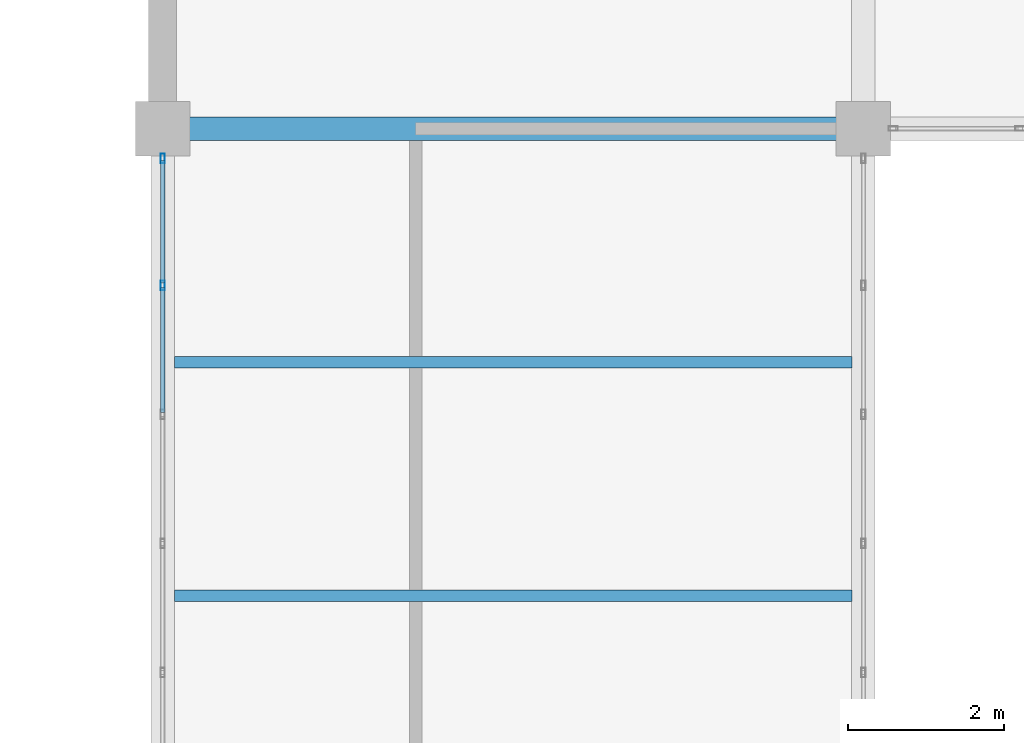
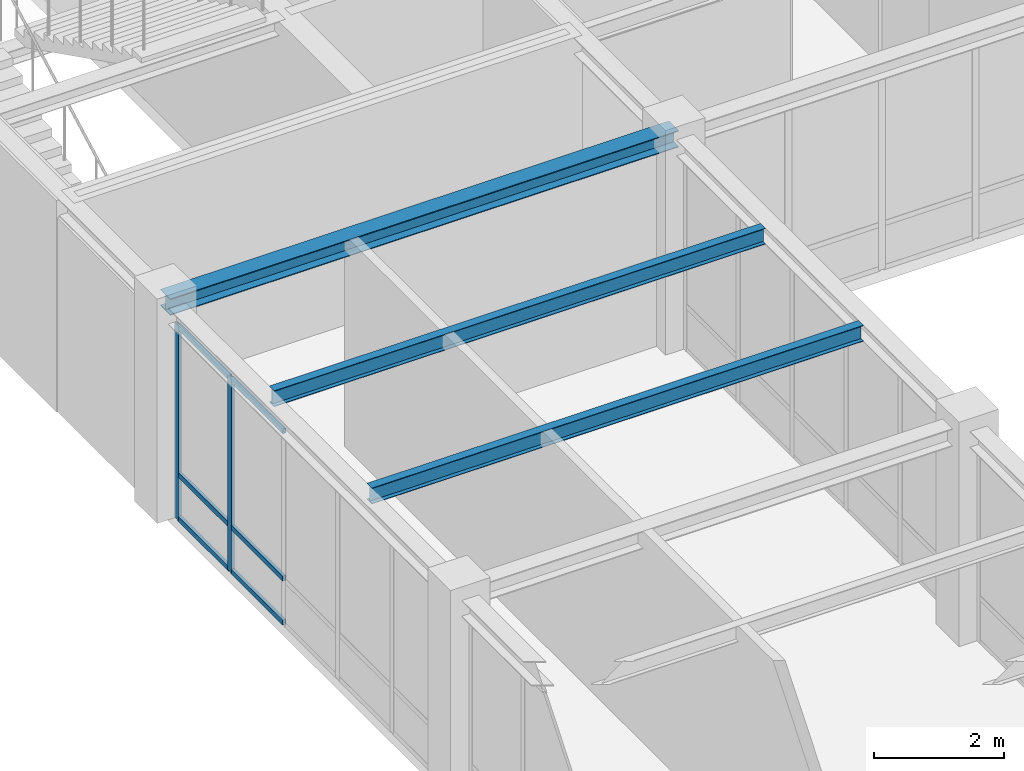
# One storey, part 40 of 108: 8 members, 3 beams, 1 element without a shape of its own.
"""IFC4 building model written with IfcOpenShell, lengths in metres."""

from ifc_helpers import new_model, si_unit, direction, frame, origin, origin_2d, place, context, subcontext, project, spatial, hollow_rectangle, i_section, extrude, material, material_profile, profile_set, type_object, element, aggregate, save


model = new_model("IFC4")

# Units and contexts
model_context = context("Model", 3, precision=1e-05, world=origin(), true_north=direction((0.0, 1.0)))
body_context = subcontext(model_context, "Body", "Model", "MODEL_VIEW")
ifc_project = project(units=[si_unit("LENGTHUNIT", "METRE"), si_unit("AREAUNIT", "SQUARE_METRE"), si_unit("VOLUMEUNIT", "CUBIC_METRE"), si_unit("PLANEANGLEUNIT", "RADIAN"), si_unit("MASSUNIT", "GRAM", prefix="KILO")], contexts=[model_context])

# Site, building, storey
site_placement = place(None, origin())
site = spatial("IfcSite", under=ifc_project, at=site_placement, CompositionType="ELEMENT")
building_placement = place(site_placement, origin())
building = spatial("IfcBuilding", under=site, at=building_placement, Name="Lykobir Media Centre", CompositionType="ELEMENT")
storey_placement = place(building_placement, frame((0.0, 0.0, 15.0)))
storey = spatial("IfcBuildingStorey", under=building, at=storey_placement, Name="L03", CompositionType="ELEMENT", Elevation=15.0)

# Curtain wall, members
ifc_material_1 = material(Name="Anodized Aluminium AW-6060", Category="aluminium")
curtain_wall_type = type_object("IfcCurtainWallType", Name="CW-COURT-B", PredefinedType="NOTDEFINED", material=ifc_material_1)
curtain_wall_placement = place(storey_placement, origin())
curtain_wall = element("IfcCurtainWall", 1, at=curtain_wall_placement, inside=storey, type_object=curtain_wall_type, Name="Curtain wall CW2-L03-0136", PredefinedType="NOTDEFINED")
ifc_material_profile_1 = material_profile(ifc_material_1, hollow_rectangle(XDim=0.054931640625, YDim=0.1201171875, WallThickness=0.003173828125, at=origin_2d()), Name="ALU MULLION 55x120")
ifc_profile_set_1 = profile_set([ifc_material_profile_1], Name="Anodized Aluminium AW-6060")
member_type_1 = type_object("IfcMemberType", Name="CWM-120", PredefinedType="MULLION", material=ifc_profile_set_1)
member_1_placement = place(storey_placement, frame((27.0, 60.987060546875, 0.0), z_axis=(0.0, 0.0, 1.0), x_axis=(-1.0, 0.0, 0.0)))
member_1 = element("IfcMember", 2, at=member_1_placement, type_object=member_type_1, Name="CW2-L03-0136 mullion 5", PredefinedType="MULLION", context=body_context, shape_type="SweptSolid", body=[
    extrude(hollow_rectangle(XDim=0.054931640625, YDim=0.1201171875, WallThickness=0.003173828125, at=origin_2d()), origin(), (0.0, 0.0, 1.0), 3.635009765625),
])
member_2_placement = place(storey_placement, frame((27.0, 62.617431640625, 0.0), z_axis=(0.0, 0.0, 1.0), x_axis=(-1.0, 0.0, 0.0)))
member_2 = element("IfcMember", 3, at=member_2_placement, type_object=member_type_1, Name="CW2-L03-0136 mullion 6", PredefinedType="MULLION", context=body_context, shape_type="SweptSolid", body=[
    extrude(hollow_rectangle(XDim=0.054931640625, YDim=0.1201171875, WallThickness=0.003173828125, at=origin_2d()), origin(), (0.0, 0.0, 1.0), 3.635009765625),
])
ifc_material_profile_2 = material_profile(ifc_material_1, hollow_rectangle(XDim=0.054931640625, YDim=0.094970703125, WallThickness=0.0029296875, at=origin_2d()), Name="ALU TRANSOM 55x95")
ifc_profile_set_2 = profile_set([ifc_material_profile_2], Name="Anodized Aluminium AW-6060")
member_type_2 = type_object("IfcMemberType", Name="CWT-095", PredefinedType="USERDEFINED", material=ifc_profile_set_2)
member_3_placement = place(storey_placement, frame((27.0, 59.3564453125, 0.027587890625), z_axis=(0.0, 1.0, 0.0), x_axis=(-1.0, 0.0, 0.0)))
member_3 = element("IfcMember", 4, at=member_3_placement, type_object=member_type_2, Name="CW2-L03-0136 transom 4.1", ObjectType="TRANSOM", PredefinedType="USERDEFINED", context=body_context, shape_type="SweptSolid", body=[
    extrude(hollow_rectangle(XDim=0.054931640625, YDim=0.094970703125, WallThickness=0.0029296875, at=origin_2d()), origin(), (0.0, 0.0, 1.0), 1.60302734375),
])
member_4_placement = place(storey_placement, frame((27.0, 59.3564453125, 0.85009765625), z_axis=(0.0, 1.0, 0.0), x_axis=(-1.0, 0.0, 0.0)))
member_4 = element("IfcMember", 5, at=member_4_placement, type_object=member_type_2, Name="CW2-L03-0136 transom 4.2", ObjectType="TRANSOM", PredefinedType="USERDEFINED", context=body_context, shape_type="SweptSolid", body=[
    extrude(hollow_rectangle(XDim=0.054931640625, YDim=0.094970703125, WallThickness=0.0029296875, at=origin_2d()), origin(), (0.0, 0.0, 1.0), 1.60302734375),
])
member_5_placement = place(storey_placement, frame((27.0, 59.3564453125, 3.607421875), z_axis=(0.0, 1.0, 0.0), x_axis=(-1.0, 0.0, 0.0)))
member_5 = element("IfcMember", 6, at=member_5_placement, type_object=member_type_2, Name="CW2-L03-0136 transom 4.3", ObjectType="TRANSOM", PredefinedType="USERDEFINED", context=body_context, shape_type="SweptSolid", body=[
    extrude(hollow_rectangle(XDim=0.054931640625, YDim=0.094970703125, WallThickness=0.0029296875, at=origin_2d()), origin(), (0.0, 0.0, 1.0), 1.60302734375),
])
member_6_placement = place(storey_placement, frame((27.0, 61.014404296875, 0.027587890625), z_axis=(0.0, 1.0, 0.0), x_axis=(-1.0, 0.0, 0.0)))
member_6 = element("IfcMember", 7, at=member_6_placement, type_object=member_type_2, Name="CW2-L03-0136 transom 5.1", ObjectType="TRANSOM", PredefinedType="USERDEFINED", context=body_context, shape_type="SweptSolid", body=[
    extrude(hollow_rectangle(XDim=0.054931640625, YDim=0.094970703125, WallThickness=0.0029296875, at=origin_2d()), origin(), (0.0, 0.0, 1.0), 1.57568359375),
])
member_7_placement = place(storey_placement, frame((27.0, 61.014404296875, 0.85009765625), z_axis=(0.0, 1.0, 0.0), x_axis=(-1.0, 0.0, 0.0)))
member_7 = element("IfcMember", 8, at=member_7_placement, type_object=member_type_2, Name="CW2-L03-0136 transom 5.2", ObjectType="TRANSOM", PredefinedType="USERDEFINED", context=body_context, shape_type="SweptSolid", body=[
    extrude(hollow_rectangle(XDim=0.054931640625, YDim=0.094970703125, WallThickness=0.0029296875, at=origin_2d()), origin(), (0.0, 0.0, 1.0), 1.57568359375),
])
member_8_placement = place(storey_placement, frame((27.0, 61.014404296875, 3.607421875), z_axis=(0.0, 1.0, 0.0), x_axis=(-1.0, 0.0, 0.0)))
member_8 = element("IfcMember", 9, at=member_8_placement, type_object=member_type_2, Name="CW2-L03-0136 transom 5.3", ObjectType="TRANSOM", PredefinedType="USERDEFINED", context=body_context, shape_type="SweptSolid", body=[
    extrude(hollow_rectangle(XDim=0.054931640625, YDim=0.094970703125, WallThickness=0.0029296875, at=origin_2d()), origin(), (0.0, 0.0, 1.0), 1.57568359375),
])
aggregate(curtain_wall, [member_1, member_2, member_3, member_4, member_5, member_6, member_7, member_8])

# Beams
ifc_material_2 = material(Name="Steel S355", Category="steel")
ifc_material_profile_3 = material_profile(ifc_material_2, i_section(OverallWidth=0.14990234375, OverallDepth=0.300048828125, WebThickness=0.007080078125, FlangeThickness=0.0107421875, at=origin_2d()), Name="IPE 300")
ifc_profile_set_3 = profile_set([ifc_material_profile_3], Name="Steel S355")
beam_type_1 = type_object("IfcBeamType", Name="JS-IPE300", PredefinedType="JOIST", material=ifc_profile_set_3)
for number, where, z_axis, x_axis, name in (
    (10, (27.14990234375, 57.0, 3.81005859375), (1.0, 0.0, 0.0), (0.0, 1.0, 0.0), "Beam BM-L03-0272-0570-0358-0570-1881"),
    (11, (27.14990234375, 60.0, 3.81005859375), (1.0, 0.0, 0.0), (0.0, 1.0, 0.0), "Beam BM-L03-0272-0600-0358-0600-1881"),
):
    element("IfcBeam", number, at=place(storey_placement, frame(where, z_axis=z_axis, x_axis=x_axis)), inside=storey, type_object=beam_type_1, Name=name, PredefinedType="JOIST", context=body_context, shape_type="SweptSolid", body=[
        extrude(i_section(OverallWidth=0.14990234375, OverallDepth=0.300048828125, WebThickness=0.007080078125, FlangeThickness=0.0107421875, at=origin_2d()), origin(), (0.0, 0.0, 1.0), 8.7001953125),
    ])
ifc_material_profile_4 = material_profile(ifc_material_2, i_section(OverallWidth=0.300048828125, OverallDepth=0.31005859375, WebThickness=0.009033203125, FlangeThickness=0.015380859375, at=origin_2d()), Name="HEA 320")
ifc_profile_set_4 = profile_set([ifc_material_profile_4], Name="Steel S355")
beam_type_2 = type_object("IfcBeamType", Name="SP-HEA320", PredefinedType="SPANDREL", material=ifc_profile_set_4)
beam_placement = place(storey_placement, frame((27.0, 63.0, 3.804931640625), z_axis=(1.0, 0.0, 0.0), x_axis=(0.0, 1.0, 0.0)))
element("IfcBeam", 12, at=beam_placement, inside=storey, type_object=beam_type_2, Name="Beam BM-L03-0270-0630-0360-0630-1880", PredefinedType="SPANDREL", context=body_context, shape_type="SweptSolid", body=[
    extrude(i_section(OverallWidth=0.300048828125, OverallDepth=0.31005859375, WebThickness=0.009033203125, FlangeThickness=0.015380859375, at=origin_2d()), origin(), (0.0, 0.0, 1.0), 9.0),
])

save(model, "model.ifc")
